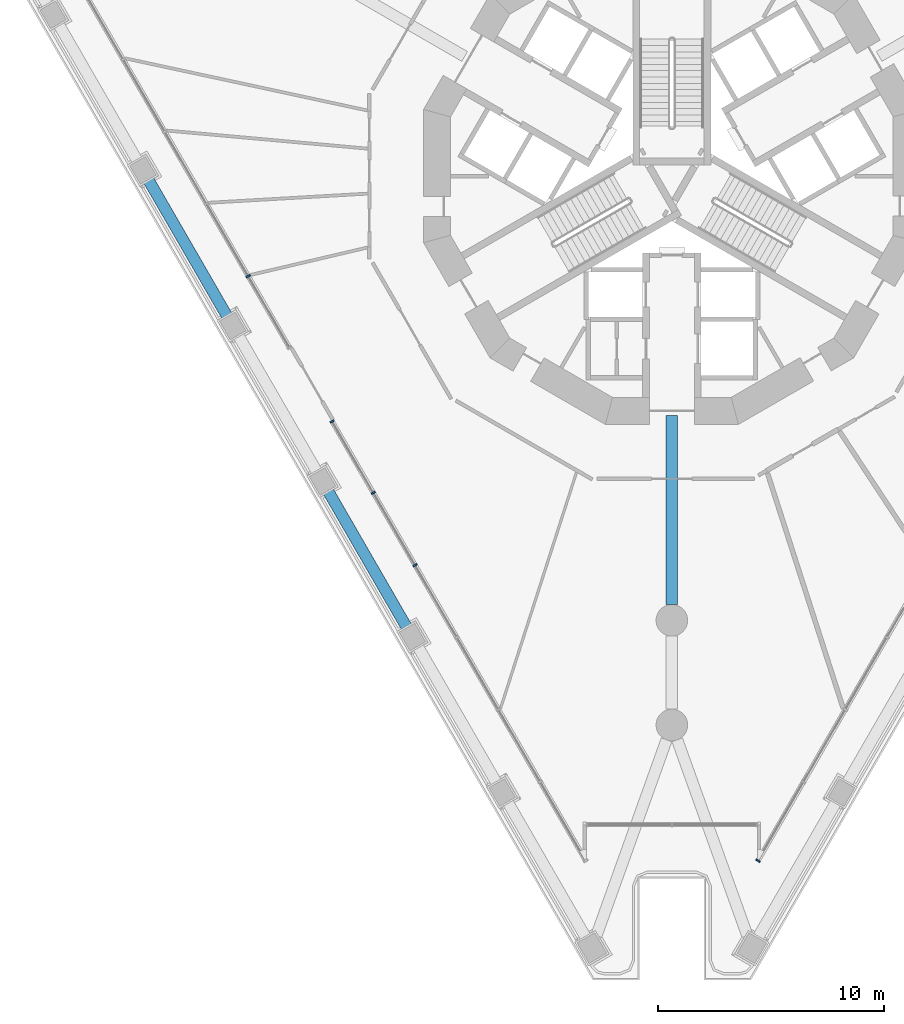
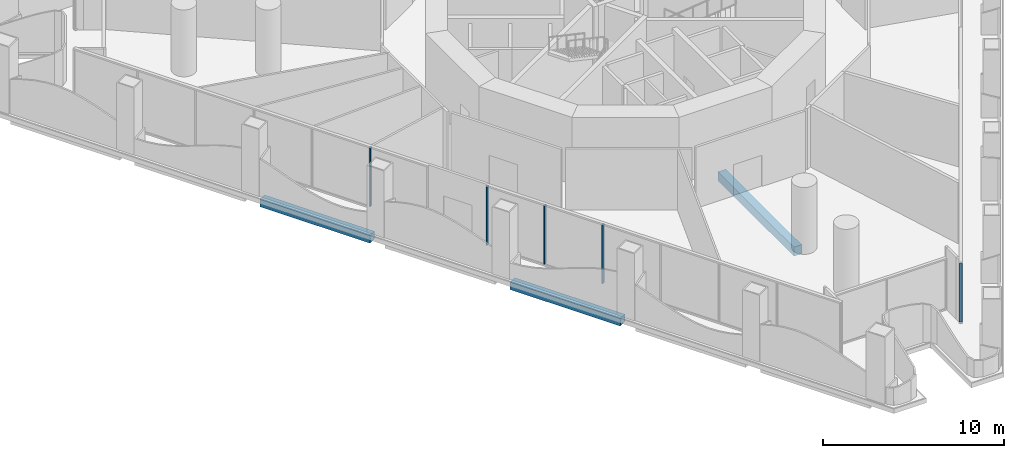
# One storey, part 3 of 23: 5 members, 3 beams, 3 elements without a shape of their own.
"""IFC4 building model written with IfcOpenShell, lengths in metres."""

from ifc_helpers import new_model, si_unit, direction, frame, origin, origin_2d, place, context, subcontext, project, spatial, rectangle, extrude, material, layer, layer_set, material_profile, profile_set, type_object, element, aggregate, save


model = new_model("IFC4")

# Units and contexts
model_context = context("Model", 3, precision=1e-05, world=origin(), true_north=direction((0.0, 1.0)))
body_context = subcontext(model_context, "Body", "Model", "MODEL_VIEW")
ifc_project = project(units=[si_unit("LENGTHUNIT", "METRE"), si_unit("AREAUNIT", "SQUARE_METRE"), si_unit("VOLUMEUNIT", "CUBIC_METRE"), si_unit("PLANEANGLEUNIT", "RADIAN"), si_unit("MASSUNIT", "GRAM", prefix="KILO")], contexts=[model_context])

# Site, building, storey
site_placement = place(None, origin())
site = spatial("IfcSite", under=ifc_project, at=site_placement, CompositionType="ELEMENT")
building_placement = place(site_placement, origin())
building = spatial("IfcBuilding", under=site, at=building_placement, Name="Trine Commons Tower", CompositionType="ELEMENT")
storey_placement = place(building_placement, frame((0.0, 0.0, 18.0)))
storey = spatial("IfcBuildingStorey", under=building, at=storey_placement, Name="L03", CompositionType="ELEMENT", Elevation=18.0)

# Curtain wall, member
ifc_material_1 = material(Name="Podium glazing: anodised aluminium frame with low-emissivity double glazed unit", Category="aluminium")
ifc_layer = layer(ifc_material_1, 0.199951171875)
ifc_layer_set = layer_set([ifc_layer], Name="Podium glazing: anodised aluminium frame with low-emissivity double glazed unit")
curtain_wall_type = type_object("IfcCurtainWallType", Name="Podium glazing curtain wall CW3", PredefinedType="NOTDEFINED", material=ifc_layer_set)
curtain_wall_1_placement = place(storey_placement, origin())
curtain_wall_1 = element("IfcCurtainWall", 1, at=curtain_wall_1_placement, inside=storey, type_object=curtain_wall_type, Name="Podium glazing L03 F2.2", PredefinedType="NOTDEFINED")
ifc_material_2 = material(Name="Anodised aluminium, bronze finish", Category="aluminium")
ifc_material_profile_1 = material_profile(ifc_material_2, rectangle(XDim=0.199951171875, YDim=0.074951171875, at=origin_2d()), Name="Mullion 75x200")
ifc_profile_set_1 = profile_set([ifc_material_profile_1], Name="Anodised aluminium, bronze finish")
member_type = type_object("IfcMemberType", Name="Mullion 75x200, Anodised aluminium, bronze finish", PredefinedType="MULLION", material=ifc_profile_set_1)
member_1_placement = place(storey_placement, frame((83.818603515625, 32.14501953125, 0.10009765625), z_axis=(0.0, 0.0, 1.0), x_axis=(0.866025403784, -0.5, 0.0)))
member_1 = element("IfcMember", 2, at=member_1_placement, type_object=member_type, Name="CW3 mullion 7.1", PredefinedType="MULLION", context=body_context, shape_type="SweptSolid", body=[
    extrude(rectangle(XDim=0.199951171875, YDim=0.074951171875, at=origin_2d()), origin(), (0.0, 0.0, 1.0), 3.949951171875),
])
aggregate(curtain_wall_1, [member_1])

# Curtain wall, members
curtain_wall_2_placement = place(storey_placement, origin())
curtain_wall_2 = element("IfcCurtainWall", 3, at=curtain_wall_2_placement, inside=storey, type_object=curtain_wall_type, Name="Podium glazing L03 F3.1", PredefinedType="NOTDEFINED")
member_2_placement = place(storey_placement, frame((68.615478515625, 45.2490234375, 0.10009765625), z_axis=(0.0, 0.0, 1.0), x_axis=(-0.866025403784, -0.5, 0.0)))
member_2 = element("IfcMember", 4, at=member_2_placement, type_object=member_type, Name="CW3 mullion 5.1", PredefinedType="MULLION", context=body_context, shape_type="SweptSolid", body=[
    extrude(rectangle(XDim=0.199951171875, YDim=0.074951171875, at=origin_2d()), origin(), (0.0, 0.0, 1.0), 3.949951171875),
])
member_3_placement = place(storey_placement, frame((66.76611328125, 48.452392578125, 0.10009765625), z_axis=(0.0, 0.0, 1.0), x_axis=(-0.866025403784, -0.5, 0.0)))
member_3 = element("IfcMember", 5, at=member_3_placement, type_object=member_type, Name="CW3 mullion 6.1", PredefinedType="MULLION", context=body_context, shape_type="SweptSolid", body=[
    extrude(rectangle(XDim=0.199951171875, YDim=0.074951171875, at=origin_2d()), origin(), (0.0, 0.0, 1.0), 3.949951171875),
])
member_4_placement = place(storey_placement, frame((64.935302734375, 51.623291015625, 0.10009765625), z_axis=(0.0, 0.0, 1.0), x_axis=(-0.866025403784, -0.5, 0.0)))
member_4 = element("IfcMember", 6, at=member_4_placement, type_object=member_type, Name="CW3 mullion 7.1", PredefinedType="MULLION", context=body_context, shape_type="SweptSolid", body=[
    extrude(rectangle(XDim=0.199951171875, YDim=0.074951171875, at=origin_2d()), origin(), (0.0, 0.0, 1.0), 3.949951171875),
])
aggregate(curtain_wall_2, [member_2, member_3, member_4])

# Curtain wall, member
curtain_wall_3_placement = place(storey_placement, origin())
curtain_wall_3 = element("IfcCurtainWall", 7, at=curtain_wall_3_placement, inside=storey, type_object=curtain_wall_type, Name="Podium glazing L03 F3.2", PredefinedType="NOTDEFINED")
member_5_placement = place(storey_placement, frame((61.2177734375, 58.0625, 0.10009765625), z_axis=(0.0, 0.0, 1.0), x_axis=(-0.866025403784, -0.5, 0.0)))
member_5 = element("IfcMember", 8, at=member_5_placement, type_object=member_type, Name="CW3 mullion 2.1", PredefinedType="MULLION", context=body_context, shape_type="SweptSolid", body=[
    extrude(rectangle(XDim=0.199951171875, YDim=0.074951171875, at=origin_2d()), origin(), (0.0, 0.0, 1.0), 3.949951171875),
])
aggregate(curtain_wall_3, [member_5])

# Beams
ifc_material_3 = material(Name="Concrete C50/60", Category="concrete")
ifc_material_profile_2 = material_profile(ifc_material_3, rectangle(XDim=0.5, YDim=0.5, at=origin_2d()), Name="RC 500x500")
ifc_profile_set_2 = profile_set([ifc_material_profile_2], Name="Concrete C50/60")
beam_type_1 = type_object("IfcBeamType", Name="RC beam 500x500, C50/60", PredefinedType="BEAM", material=ifc_profile_set_2)
for number, where, z_axis, x_axis, name in (
    (9, (68.254638671875, 42.474365234375, -0.60009765625), (-0.499991645397, 0.866030227263, 0.0), (-0.866030227263, -0.499991645397, 0.0), "Beam EB1-03 L03"),
    (10, (60.291259765625, 56.267333984375, -0.60009765625), (-0.499991645397, 0.866030227263, 0.0), (-0.866030227263, -0.499991645397, 0.0), "Beam EB1-05 L03"),
):
    element("IfcBeam", number, at=place(storey_placement, frame(where, z_axis=z_axis, x_axis=x_axis)), inside=storey, type_object=beam_type_1, Name=name, PredefinedType="BEAM", context=body_context, shape_type="SweptSolid", body=[
        extrude(rectangle(XDim=0.5, YDim=0.5, at=origin_2d()), origin(), (0.0, 0.0, 1.0), 7.01318359375),
    ])
ifc_material_profile_3 = material_profile(ifc_material_3, rectangle(XDim=0.5, YDim=0.60009765625, at=origin_2d()), Name="RC 500x600")
ifc_profile_set_3 = profile_set([ifc_material_profile_3], Name="Concrete C50/60")
beam_type_2 = type_object("IfcBeamType", Name="RC beam 500x600, C50/60", PredefinedType="BEAM", material=ifc_profile_set_3)
beam_placement = place(storey_placement, frame((80.0, 51.888427734375, -0.64990234375), z_axis=(0.0, -1.0, 0.0), x_axis=(1.0, 0.0, 0.0)))
element("IfcBeam", 11, at=beam_placement, inside=storey, type_object=beam_type_2, Name="Beam RB1-01 L03", PredefinedType="BEAM", context=body_context, shape_type="SweptSolid", body=[
    extrude(rectangle(XDim=0.5, YDim=0.60009765625, at=origin_2d()), origin(), (0.0, 0.0, 1.0), 8.385498046875),
])

save(model, "model.ifc")
